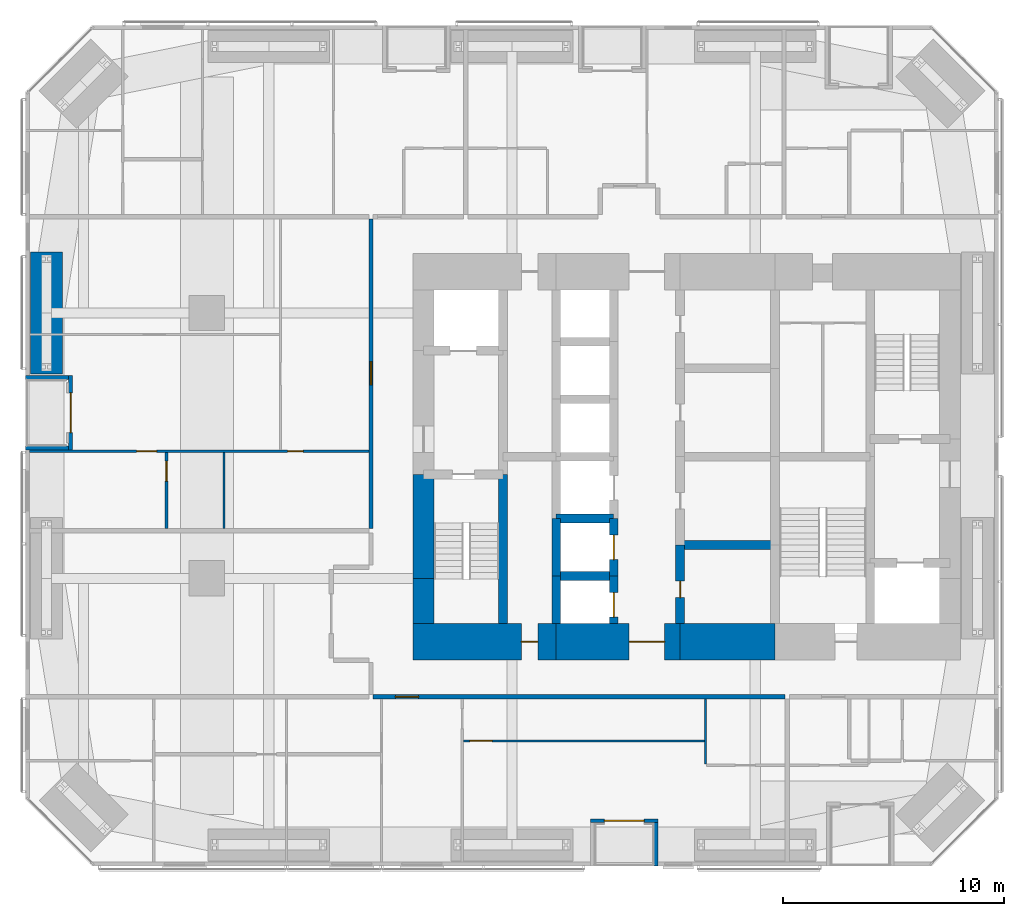
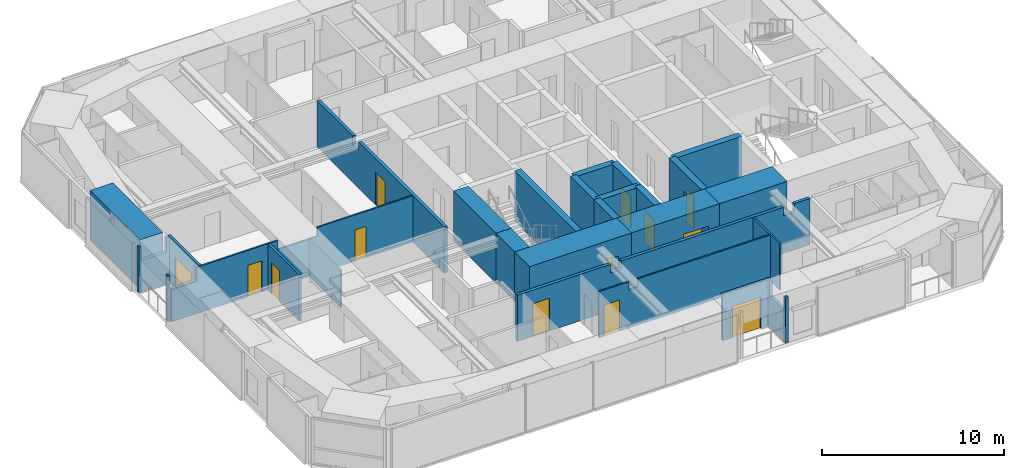
# One storey, part 18 of 24: 27 walls, 13 doors, 13 openings.
"""IFC4 building model written with IfcOpenShell, lengths in metres."""

from ifc_helpers import new_model, si_unit, direction, frame, frame_2d, origin, place, context, subcontext, project, spatial, polyline, rectangle, outline, extrude, material, layer, layer_set, constituent, constituent_set, type_object, element, fill, save


model = new_model("IFC4")

# Units and contexts
model_context = context("Model", 3, precision=1e-05, world=origin(), true_north=direction((0.0, 1.0)))
body_context = subcontext(model_context, "Body", "Model", "MODEL_VIEW")
ifc_project = project(units=[si_unit("LENGTHUNIT", "METRE"), si_unit("AREAUNIT", "SQUARE_METRE"), si_unit("VOLUMEUNIT", "CUBIC_METRE"), si_unit("PLANEANGLEUNIT", "RADIAN"), si_unit("MASSUNIT", "GRAM", prefix="KILO")], contexts=[model_context])

# Site, building, storey
site_placement = place(None, origin())
site = spatial("IfcSite", under=ifc_project, at=site_placement, CompositionType="ELEMENT")
building_placement = place(site_placement, origin())
building = spatial("IfcBuilding", under=site, at=building_placement, Name="Jalousie Tower", CompositionType="ELEMENT")
storey_placement = place(building_placement, frame((0.0, 0.0, 51.14990234375)))
storey = spatial("IfcBuildingStorey", under=building, at=storey_placement, Name="L13", CompositionType="ELEMENT", Elevation=51.14990234375)

# Wall, opening, door
ifc_material_1 = material(Name="Concrete block ASTM C90", Category="concrete")
ifc_constituent_1 = constituent(ifc_material_1, Name="Body")
ifc_material_2 = material(Name="Render")
ifc_constituent_2 = constituent(ifc_material_2, Name="Finish")
ifc_constituent_set_1 = constituent_set(constituents=[ifc_constituent_1, ifc_constituent_2])
wall_type_1 = type_object("IfcWallType", Name="BATHROOM WALL 150", PredefinedType="PLUMBINGWALL", material=ifc_constituent_set_1)
wall_1_placement = place(storey_placement, frame((8.375, 15.25, 0.0), z_axis=(0.0, 0.0, 1.0), x_axis=(0.0, 1.0, 0.0)))
wall_1 = element("IfcWall", 1, at=wall_1_placement, inside=storey, type_object=wall_type_1, Name="Bathroom Wall 150 L13", PredefinedType="PLUMBINGWALL", context=body_context, shape_type="SweptSolid", body=[
    extrude(rectangle(XDim=3.449951171875, YDim=0.14990234375, at=frame_2d((1.72509765625, 0.0))), origin(), (0.0, 0.0, 1.0), 3.110107421875),
])
opening_1_placement = place(wall_1_placement, frame((2.14990234375, 0.0, 0.0)))
opening_1 = element("IfcOpeningElement", 2, at=opening_1_placement, cuts=wall_1, Name="Opening D3", PredefinedType="OPENING", context=body_context, shape_type="SweptSolid", body=[
    extrude(rectangle(XDim=0.89990234375, YDim=2.10009765625, at=frame_2d((0.449951171875, 1.050048828125))), frame((0.0, 0.0849609375, 0.0), z_axis=(0.0, -1.0, 0.0), x_axis=(1.0, 0.0, 0.0)), (0.0, 0.0, 1.0), 0.169921875),
])
ifc_material_3 = material(Name="Timber door", Category="wood")
door_type_1 = type_object("IfcDoorType", Name="BATHROOM DOOR 900", OperationType="SINGLE_SWING_LEFT", PredefinedType="DOOR", material=ifc_material_3)
door_1_placement = place(opening_1_placement, frame((0.89990234375, 0.0, 0.0), z_axis=(0.0, 0.0, 1.0), x_axis=(-1.0, 0.0, 0.0)))
door_1 = element("IfcDoor", 3, at=door_1_placement, inside=storey, type_object=door_type_1, Name="Apartment 1306 bedroom 1 bathroom door", OperationType="SINGLE_SWING_LEFT", OverallHeight=2.10009765625, OverallWidth=0.89990234375, PredefinedType="DOOR", context=body_context, shape_type="SweptSolid", body=[
    extrude(rectangle(XDim=0.89990234375, YDim=2.10009765625, at=frame_2d((0.449951171875, 1.050048828125))), frame((0.0, 0.02490234375, 0.0), z_axis=(0.0, -1.0, 0.0), x_axis=(1.0, 0.0, 0.0)), (0.0, 0.0, 1.0), 0.050048828125),
])
fill(opening_1, door_1)

ifc_material_4 = material(Name="Concrete f'c 120 MPa", Category="concrete")
ifc_layer_1 = layer(ifc_material_4, 1.64990234375)
ifc_layer_set_1 = layer_set([ifc_layer_1], Name="Concrete f'c 120 MPa")
wall_type_2 = type_object("IfcWallType", Name="CORE WALL 1650", PredefinedType="SHEAR", material=ifc_layer_set_1)
wall_2_placement = place(storey_placement, frame((19.52490234375, 10.125, 0.0), z_axis=(0.0, 0.0, 1.0), x_axis=(1.0, 0.0, 0.0)))
wall_2 = element("IfcWall", 4, at=wall_2_placement, inside=storey, type_object=wall_type_2, Name="Core wall SA L13", PredefinedType="SHEAR", context=body_context, shape_type="SweptSolid", body=[
    extrude(rectangle(XDim=6.47509765625, YDim=1.64990234375, at=frame_2d((3.237548828125, 0.0))), origin(), (0.0, 0.0, 1.0), 3.35009765625),
])
opening_2_placement = place(wall_2_placement, frame((4.89990234375, 0.0, 0.0)))
opening_2 = element("IfcOpeningElement", 5, at=opening_2_placement, cuts=wall_2, Name="Opening D16", PredefinedType="OPENING", context=body_context, shape_type="SweptSolid", body=[
    extrude(rectangle(XDim=0.75, YDim=2.10009765625, at=frame_2d((0.375, 1.050048828125))), frame((0.0, 0.8349609375, 0.0), z_axis=(0.0, -1.0, 0.0), x_axis=(1.0, 0.0, 0.0)), (0.0, 0.0, 1.0), 1.669921875),
])
ifc_material_5 = material(Name="Steel fire door", Category="steel")
door_type_2 = type_object("IfcDoorType", Name="RISER DOOR 750", OperationType="SINGLE_SWING_LEFT", PredefinedType="DOOR", material=ifc_material_5)
door_2_placement = place(opening_2_placement, origin())
door_2 = element("IfcDoor", 6, at=door_2_placement, inside=storey, type_object=door_type_2, Name="South riser door", OperationType="SINGLE_SWING_LEFT", OverallHeight=2.10009765625, OverallWidth=0.75, PredefinedType="DOOR", context=body_context, shape_type="SweptSolid", body=[
    extrude(rectangle(XDim=0.75, YDim=2.10009765625, at=frame_2d((0.375, 1.050048828125))), frame((0.0, 0.02490234375, 0.0), z_axis=(0.0, -1.0, 0.0), x_axis=(1.0, 0.0, 0.0)), (0.0, 0.0, 1.0), 0.050048828125),
])
fill(opening_2, door_2)

wall_3_placement = place(storey_placement, frame((26.0, 10.125, 0.0), z_axis=(0.0, 0.0, 1.0), x_axis=(1.0, 0.0, 0.0)))
wall_3 = element("IfcWall", 7, at=wall_3_placement, inside=storey, type_object=wall_type_2, Name="Core wall SB L13", PredefinedType="SHEAR", context=body_context, shape_type="SweptSolid", body=[
    extrude(rectangle(XDim=5.60009765625, YDim=1.64990234375, at=frame_2d((2.800048828125, 0.0))), origin(), (0.0, 0.0, 1.0), 3.35009765625),
])
opening_3_placement = place(wall_3_placement, frame((3.300048828125, 0.0, 0.0)))
opening_3 = element("IfcOpeningElement", 8, at=opening_3_placement, cuts=wall_3, Name="Opening D15", PredefinedType="OPENING", context=body_context, shape_type="SweptSolid", body=[
    extrude(rectangle(XDim=1.60009765625, YDim=2.10009765625, at=frame_2d((0.800048828125, 1.050048828125))), frame((0.0, 0.8349609375, 0.0), z_axis=(0.0, -1.0, 0.0), x_axis=(1.0, 0.0, 0.0)), (0.0, 0.0, 1.0), 1.669921875),
])
ifc_material_6 = material(Name="Steel fire door", Category="steel")
door_type_3 = type_object("IfcDoorType", Name="LIFT LOBBY DOOR 1600", OperationType="DOUBLE_DOOR_SINGLE_SWING", PredefinedType="DOOR", material=ifc_material_6)
door_3_placement = place(opening_3_placement, origin())
door_3 = element("IfcDoor", 9, at=door_3_placement, inside=storey, type_object=door_type_3, Name="Lift lobby south door", OperationType="DOUBLE_DOOR_SINGLE_SWING", OverallHeight=2.10009765625, OverallWidth=1.60009765625, PredefinedType="DOOR", context=body_context, shape_type="SweptSolid", body=[
    extrude(rectangle(XDim=1.60009765625, YDim=2.10009765625, at=frame_2d((0.800048828125, 1.050048828125))), frame((0.0, 0.02490234375, 0.0), z_axis=(0.0, -1.0, 0.0), x_axis=(1.0, 0.0, 0.0)), (0.0, 0.0, 1.0), 0.050048828125),
])
fill(opening_3, door_3)

# Walls
wall_4_placement = place(storey_placement, frame((31.60009765625, 10.125, 0.0), z_axis=(0.0, 0.0, 1.0), x_axis=(1.0, 0.0, 0.0)))
element("IfcWall", 10, at=wall_4_placement, inside=storey, type_object=wall_type_2, Name="Core wall SC L13", PredefinedType="SHEAR", context=body_context, shape_type="SweptSolid", body=[
    extrude(rectangle(XDim=4.2998046875, YDim=1.64990234375, at=frame_2d((2.14990234375, 0.0))), origin(), (0.0, 0.0, 1.0), 3.35009765625),
])
ifc_material_7 = material(Name="Concrete f'c 120 MPa", Category="concrete")
ifc_layer_2 = layer(ifc_material_7, 0.39990234375)
ifc_layer_set_2 = layer_set([ifc_layer_2], Name="Concrete f'c 120 MPa")
wall_type_3 = type_object("IfcWallType", Name="CORE WALL 400", PredefinedType="SHEAR", material=ifc_layer_set_2)
wall_5_placement = place(storey_placement, frame((23.60009765625, 10.949951171875, 0.0), z_axis=(0.0, 0.0, 1.0), x_axis=(0.0, 1.0, 0.0)))
element("IfcWall", 11, at=wall_5_placement, inside=storey, type_object=wall_type_3, Name="Core wall X23.6A L13", PredefinedType="SHEAR", context=body_context, shape_type="SweptSolid", body=[
    extrude(rectangle(XDim=6.75, YDim=0.39990234375, at=frame_2d((3.375, 0.0))), origin(), (0.0, 0.0, 1.0), 3.35009765625),
])
wall_6_placement = place(storey_placement, frame((26.0, 10.949951171875, 0.0), z_axis=(0.0, 0.0, 1.0), x_axis=(0.0, 1.0, 0.0)))
element("IfcWall", 12, at=wall_6_placement, inside=storey, type_object=wall_type_3, Name="Core wall X26A L13", PredefinedType="SHEAR", context=body_context, shape_type="SweptSolid", body=[
    extrude(rectangle(XDim=2.150146484375, YDim=0.39990234375, at=frame_2d((1.0751953125, 0.0))), origin(), (0.0, 0.0, 1.0), 3.35009765625),
])
wall_7_placement = place(storey_placement, frame((26.0, 13.10009765625, 0.0), z_axis=(0.0, 0.0, 1.0), x_axis=(0.0, 1.0, 0.0)))
element("IfcWall", 13, at=wall_7_placement, inside=storey, type_object=wall_type_3, Name="Core wall X26B L13", PredefinedType="SHEAR", context=body_context, shape_type="SweptSolid", body=[
    extrude(rectangle(XDim=2.599853515625, YDim=0.39990234375, at=frame_2d((1.2998046875, 0.0))), origin(), (0.0, 0.0, 1.0), 3.35009765625),
])

# Wall, opening, door
wall_8_placement = place(storey_placement, frame((28.60009765625, 10.949951171875, 0.0), z_axis=(0.0, 0.0, 1.0), x_axis=(0.0, 1.0, 0.0)))
wall_8 = element("IfcWall", 14, at=wall_8_placement, inside=storey, type_object=wall_type_3, Name="Core wall X28.6A L13", PredefinedType="SHEAR", context=body_context, shape_type="SweptSolid", body=[
    extrude(rectangle(XDim=2.150146484375, YDim=0.39990234375, at=frame_2d((1.0751953125, 0.0))), origin(), (0.0, 0.0, 1.0), 3.35009765625),
])
opening_4_placement = place(wall_8_placement, frame((0.300048828125, 0.0, 0.0)))
opening_4 = element("IfcOpeningElement", 15, at=opening_4_placement, cuts=wall_8, Name="Opening LD1", PredefinedType="OPENING", context=body_context, shape_type="SweptSolid", body=[
    extrude(rectangle(XDim=1.10009765625, YDim=2.10009765625, at=frame_2d((0.550048828125, 1.050048828125))), frame((0.0, 0.2099609375, 0.0), z_axis=(0.0, -1.0, 0.0), x_axis=(1.0, 0.0, 0.0)), (0.0, 0.0, 1.0), 0.419921875),
])
ifc_material_8 = material(Name="Steel lift landing door", Category="steel")
door_type_4 = type_object("IfcDoorType", Name="LIFT LANDING DOOR 1100", OperationType="SLIDING_TO_LEFT", PredefinedType="DOOR", material=ifc_material_8)
door_4_placement = place(opening_4_placement, origin())
door_4 = element("IfcDoor", 16, at=door_4_placement, inside=storey, type_object=door_type_4, Name="Lift P1 landing door", OperationType="SLIDING_TO_LEFT", OverallHeight=2.10009765625, OverallWidth=1.10009765625, PredefinedType="DOOR", context=body_context, shape_type="SweptSolid", body=[
    extrude(rectangle(XDim=1.10009765625, YDim=2.10009765625, at=frame_2d((0.550048828125, 1.050048828125))), frame((0.0, 0.02490234375, 0.0), z_axis=(0.0, -1.0, 0.0), x_axis=(1.0, 0.0, 0.0)), (0.0, 0.0, 1.0), 0.050048828125),
])
fill(opening_4, door_4)

wall_9_placement = place(storey_placement, frame((28.60009765625, 13.10009765625, 0.0), z_axis=(0.0, 0.0, 1.0), x_axis=(0.0, 1.0, 0.0)))
wall_9 = element("IfcWall", 17, at=wall_9_placement, inside=storey, type_object=wall_type_3, Name="Core wall X28.6B L13", PredefinedType="SHEAR", context=body_context, shape_type="SweptSolid", body=[
    extrude(rectangle(XDim=2.599853515625, YDim=0.39990234375, at=frame_2d((1.2998046875, 0.0))), origin(), (0.0, 0.0, 1.0), 3.35009765625),
])
opening_5_placement = place(wall_9_placement, frame((0.75, 0.0, 0.0)))
opening_5 = element("IfcOpeningElement", 18, at=opening_5_placement, cuts=wall_9, Name="Opening LD1", PredefinedType="OPENING", context=body_context, shape_type="SweptSolid", body=[
    extrude(rectangle(XDim=1.10009765625, YDim=2.10009765625, at=frame_2d((0.550048828125, 1.050048828125))), frame((0.0, 0.2099609375, 0.0), z_axis=(0.0, -1.0, 0.0), x_axis=(1.0, 0.0, 0.0)), (0.0, 0.0, 1.0), 0.419921875),
])
door_5_placement = place(opening_5_placement, origin())
door_5 = element("IfcDoor", 19, at=door_5_placement, inside=storey, type_object=door_type_4, Name="Lift P2 landing door", OperationType="SLIDING_TO_LEFT", OverallHeight=2.10009765625, OverallWidth=1.10009765625, PredefinedType="DOOR", context=body_context, shape_type="SweptSolid", body=[
    extrude(rectangle(XDim=1.10009765625, YDim=2.10009765625, at=frame_2d((0.550048828125, 1.050048828125))), frame((0.0, 0.02490234375, 0.0), z_axis=(0.0, -1.0, 0.0), x_axis=(1.0, 0.0, 0.0)), (0.0, 0.0, 1.0), 0.050048828125),
])
fill(opening_5, door_5)

wall_10_placement = place(storey_placement, frame((31.60009765625, 10.949951171875, 0.0), z_axis=(0.0, 0.0, 1.0), x_axis=(0.0, 1.0, 0.0)))
wall_10 = element("IfcWall", 20, at=wall_10_placement, inside=storey, type_object=wall_type_3, Name="Core wall X31.6A L13", PredefinedType="SHEAR", context=body_context, shape_type="SweptSolid", body=[
    extrude(rectangle(XDim=3.550048828125, YDim=0.39990234375, at=frame_2d((1.77490234375, 0.0))), origin(), (0.0, 0.0, 1.0), 3.35009765625),
])
opening_6_placement = place(wall_10_placement, frame((1.175048828125, 0.0, 0.0)))
opening_6 = element("IfcOpeningElement", 21, at=opening_6_placement, cuts=wall_10, Name="Opening D16", PredefinedType="OPENING", context=body_context, shape_type="SweptSolid", body=[
    extrude(rectangle(XDim=0.75, YDim=2.10009765625, at=frame_2d((0.375, 1.050048828125))), frame((0.0, 0.2099609375, 0.0), z_axis=(0.0, -1.0, 0.0), x_axis=(1.0, 0.0, 0.0)), (0.0, 0.0, 1.0), 0.419921875),
])
door_6_placement = place(opening_6_placement, frame((0.75, 0.0, 0.0), z_axis=(0.0, 0.0, 1.0), x_axis=(-1.0, 0.0, 0.0)))
door_6 = element("IfcDoor", 22, at=door_6_placement, inside=storey, type_object=door_type_2, Name="Refuse Room door", OperationType="SINGLE_SWING_RIGHT", OverallHeight=2.10009765625, OverallWidth=0.75, PredefinedType="DOOR", context=body_context, shape_type="SweptSolid", body=[
    extrude(rectangle(XDim=0.75, YDim=2.10009765625, at=frame_2d((0.375, 1.050048828125))), frame((0.0, 0.02490234375, 0.0), z_axis=(0.0, -1.0, 0.0), x_axis=(1.0, 0.0, 0.0)), (0.0, 0.0, 1.0), 0.050048828125),
])
fill(opening_6, door_6)

# Walls
for number, where, z_axis, x_axis, name in (
    (23, (26.0, 13.10009765625, 0.0), (0.0, 0.0, 1.0), (1.0, 0.0, 0.0), "Core wall Y26-13.1 L13"),
    (24, (26.0, 15.699951171875, 0.0), (0.0, 0.0, 1.0), (1.0, 0.0, 0.0), "Core wall Y26-15.7 L13"),
):
    element("IfcWall", number, at=place(storey_placement, frame(where, z_axis=z_axis, x_axis=x_axis)), inside=storey, type_object=wall_type_3, Name=name, PredefinedType="SHEAR", context=body_context, shape_type="SweptSolid", body=[
        extrude(rectangle(XDim=2.60009765625, YDim=0.39990234375, at=frame_2d((1.300048828125, 0.0))), origin(), (0.0, 0.0, 1.0), 3.35009765625),
    ])
wall_11_placement = place(storey_placement, frame((31.60009765625, 14.5, 0.0), z_axis=(0.0, 0.0, 1.0), x_axis=(1.0, 0.0, 0.0)))
element("IfcWall", 25, at=wall_11_placement, inside=storey, type_object=wall_type_3, Name="Core wall Y31.6-14.5 L13", PredefinedType="SHEAR", context=body_context, shape_type="SweptSolid", body=[
    extrude(rectangle(XDim=4.2998046875, YDim=0.39990234375, at=frame_2d((2.14990234375, 0.0))), origin(), (0.0, 0.0, 1.0), 3.35009765625),
])
ifc_material_9 = material(Name="Concrete f'c 120 MPa", Category="concrete")
ifc_layer_3 = layer(ifc_material_9, 0.949951171875)
ifc_layer_set_3 = layer_set([ifc_layer_3], Name="Concrete f'c 120 MPa")
wall_type_4 = type_object("IfcWallType", Name="CORE WALL 950", PredefinedType="SHEAR", material=ifc_layer_set_3)
wall_12_placement = place(storey_placement, frame((20.0, 17.699951171875, 0.0), z_axis=(0.0, 0.0, 1.0), x_axis=(0.0, -1.0, 0.0)))
element("IfcWall", 26, at=wall_12_placement, inside=storey, type_object=wall_type_4, Name="Core wall WC L13", PredefinedType="SHEAR", context=body_context, shape_type="SweptSolid", body=[
    extrude(rectangle(XDim=4.699951171875, YDim=0.949951171875, at=frame_2d((2.35009765625, 0.0))), origin(), (0.0, 0.0, 1.0), 3.35009765625),
])
wall_13_placement = place(storey_placement, frame((20.0, 13.0, 0.0), z_axis=(0.0, 0.0, 1.0), x_axis=(0.0, -1.0, 0.0)))
element("IfcWall", 27, at=wall_13_placement, inside=storey, type_object=wall_type_4, Name="Core wall WD L13", PredefinedType="SHEAR", context=body_context, shape_type="SweptSolid", body=[
    extrude(rectangle(XDim=2.050048828125, YDim=0.949951171875, at=frame_2d((1.02490234375, 0.0))), origin(), (0.0, 0.0, 1.0), 3.35009765625),
])

# Wall, opening, door
ifc_material_10 = material(Name="Concrete block ASTM C90", Category="concrete")
ifc_constituent_3 = constituent(ifc_material_10, Name="Body")
ifc_material_11 = material(Name="Render")
ifc_constituent_4 = constituent(ifc_material_11, Name="Finish")
ifc_constituent_set_2 = constituent_set(constituents=[ifc_constituent_3, ifc_constituent_4])
wall_type_5 = type_object("IfcWallType", Name="CORRIDOR WALL 200", PredefinedType="PARTITIONING", material=ifc_constituent_set_2)
wall_14_placement = place(storey_placement, frame((17.72509765625, 7.64990234375, 0.0), z_axis=(0.0, 0.0, 1.0), x_axis=(1.0, 0.0, 0.0)))
wall_14 = element("IfcWall", 28, at=wall_14_placement, inside=storey, type_object=wall_type_5, Name="Corridor Wall 200 L13", PredefinedType="PARTITIONING", context=body_context, shape_type="SweptSolid", body=[
    extrude(outline(polyline([(0.0, 0.0), (18.625, 0.0), (18.625, 3.110107421875), (17.6123046875, 3.110107421875), (17.6123046875, 2.541015625), (16.9375, 2.541015625), (16.9375, 3.110107421875), (6.6123046875, 3.110107421875), (6.6123046875, 2.541015625), (5.9375, 2.541015625), (5.9375, 3.110107421875), (0.0, 3.110107421875), (0.0, 0.0)])), frame((0.0, 0.10009765625, 0.0), z_axis=(0.0, -1.0, 0.0), x_axis=(1.0, 0.0, 0.0)), (0.0, 0.0, 1.0), 0.199951171875),
])
opening_7_placement = place(wall_14_placement, frame((1.0, 0.0, 0.0)))
opening_7 = element("IfcOpeningElement", 29, at=opening_7_placement, cuts=wall_14, Name="Opening D1", PredefinedType="OPENING", context=body_context, shape_type="SweptSolid", body=[
    extrude(rectangle(XDim=1.050048828125, YDim=2.199951171875, at=frame_2d((0.52490234375, 1.10009765625))), frame((0.0, 0.10986328125, 0.0), z_axis=(0.0, -1.0, 0.0), x_axis=(1.0, 0.0, 0.0)), (0.0, 0.0, 1.0), 0.219970703125),
])
ifc_material_12 = material(Name="Timber fire door", Category="wood")
door_type_5 = type_object("IfcDoorType", Name="APARTMENT ENTRANCE DOOR 1050", OperationType="SINGLE_SWING_LEFT", PredefinedType="DOOR", material=ifc_material_12)
door_7_placement = place(opening_7_placement, frame((1.050048828125, 0.0, 0.0), z_axis=(0.0, 0.0, 1.0), x_axis=(-1.0, 0.0, 0.0)))
door_7 = element("IfcDoor", 30, at=door_7_placement, inside=storey, type_object=door_type_5, Name="Apartment 1301 entrance", OperationType="SINGLE_SWING_RIGHT", OverallHeight=2.199951171875, OverallWidth=1.050048828125, PredefinedType="DOOR", context=body_context, shape_type="SweptSolid", body=[
    extrude(rectangle(XDim=1.050048828125, YDim=2.199951171875, at=frame_2d((0.52490234375, 1.10009765625))), frame((0.0, 0.02490234375, 0.0), z_axis=(0.0, -1.0, 0.0), x_axis=(1.0, 0.0, 0.0)), (0.0, 0.0, 1.0), 0.050048828125),
])
fill(opening_7, door_7)

wall_15_placement = place(storey_placement, frame((17.625, 15.25, 0.0), z_axis=(0.0, 0.0, 1.0), x_axis=(0.0, 1.0, 0.0)))
wall_15 = element("IfcWall", 31, at=wall_15_placement, inside=storey, type_object=wall_type_5, Name="Corridor Wall 200 L13", PredefinedType="PARTITIONING", context=body_context, shape_type="SweptSolid", body=[
    extrude(outline(polyline([(0.0, 0.0), (14.0, 0.0), (14.0, 3.110107421875), (10.08740234375, 3.110107421875), (10.08740234375, 2.541015625), (9.41259765625, 2.541015625), (9.41259765625, 3.110107421875), (0.0, 3.110107421875), (0.0, 0.0)])), frame((0.0, 0.10009765625, 0.0), z_axis=(0.0, -1.0, 0.0), x_axis=(1.0, 0.0, 0.0)), (0.0, 0.0, 1.0), 0.199951171875),
])
opening_8_placement = place(wall_15_placement, frame((6.5, 0.0, 0.0)))
opening_8 = element("IfcOpeningElement", 32, at=opening_8_placement, cuts=wall_15, Name="Opening D1", PredefinedType="OPENING", context=body_context, shape_type="SweptSolid", body=[
    extrude(rectangle(XDim=1.050048828125, YDim=2.199951171875, at=frame_2d((0.52490234375, 1.10009765625))), frame((0.0, 0.10986328125, 0.0), z_axis=(0.0, -1.0, 0.0), x_axis=(1.0, 0.0, 0.0)), (0.0, 0.0, 1.0), 0.219970703125),
])
door_8_placement = place(opening_8_placement, origin())
door_8 = element("IfcDoor", 33, at=door_8_placement, inside=storey, type_object=door_type_5, Name="Apartment 1306 entrance", OperationType="SINGLE_SWING_LEFT", OverallHeight=2.199951171875, OverallWidth=1.050048828125, PredefinedType="DOOR", context=body_context, shape_type="SweptSolid", body=[
    extrude(rectangle(XDim=1.050048828125, YDim=2.199951171875, at=frame_2d((0.52490234375, 1.10009765625))), frame((0.0, 0.02490234375, 0.0), z_axis=(0.0, -1.0, 0.0), x_axis=(1.0, 0.0, 0.0)), (0.0, 0.0, 1.0), 0.050048828125),
])
fill(opening_8, door_8)

ifc_material_13 = material(Name="Concrete f'c 40 MPa", Category="concrete")
ifc_constituent_5 = constituent(ifc_material_13, Name="Body")
ifc_material_14 = material(Name="Render, pastel coral")
ifc_constituent_6 = constituent(ifc_material_14, Name="Finish")
ifc_constituent_set_3 = constituent_set(constituents=[ifc_constituent_5, ifc_constituent_6])
wall_type_6 = type_object("IfcWallType", Name="EXTERNAL WALL 175 CORAL RENDER", PredefinedType="SOLIDWALL", material=ifc_constituent_set_3)
wall_16_placement = place(storey_placement, frame((27.550048828125, 2.03759765625, 0.0), z_axis=(0.0, 0.0, 1.0), x_axis=(1.0, 0.0, 0.0)))
wall_16 = element("IfcWall", 34, at=wall_16_placement, inside=storey, type_object=wall_type_6, Name="External Wall 175 Coral Render L13", PredefinedType="SOLIDWALL", context=body_context, shape_type="SweptSolid", body=[
    extrude(rectangle(XDim=3.050048828125, YDim=0.175048828125, at=frame_2d((1.52490234375, 0.0))), origin(), (0.0, 0.0, 1.0), 3.110107421875),
])
opening_9_placement = place(wall_16_placement, frame((0.625, 0.0, 0.0)))
opening_9 = element("IfcOpeningElement", 35, at=opening_9_placement, cuts=wall_16, Name="Opening D-BAL21", PredefinedType="OPENING", context=body_context, shape_type="SweptSolid", body=[
    extrude(rectangle(XDim=1.800048828125, YDim=2.10009765625, at=frame_2d((0.89990234375, 1.050048828125))), frame((0.0, 0.097412109375, 0.0), z_axis=(0.0, -1.0, 0.0), x_axis=(1.0, 0.0, 0.0)), (0.0, 0.0, 1.0), 0.195068359375),
])
ifc_material_15 = material(Name="Aluminium frame, impact-rated glazing", Category="aluminium")
door_type_6 = type_object("IfcDoorType", Name="BALCONY DOOR 1800x2100", OperationType="SLIDING_TO_LEFT", PredefinedType="DOOR", material=ifc_material_15)
door_9_placement = place(opening_9_placement, origin())
door_9 = element("IfcDoor", 36, at=door_9_placement, inside=storey, type_object=door_type_6, Name="Apartment 1301 living and dining room loggia door", OperationType="SLIDING_TO_LEFT", OverallHeight=2.10009765625, OverallWidth=1.800048828125, PredefinedType="DOOR", context=body_context, shape_type="SweptSolid", body=[
    extrude(rectangle(XDim=1.800048828125, YDim=2.10009765625, at=frame_2d((0.89990234375, 1.050048828125))), frame((0.0, 0.02490234375, 0.0), z_axis=(0.0, -1.0, 0.0), x_axis=(1.0, 0.0, 0.0)), (0.0, 0.0, 1.0), 0.050048828125),
])
fill(opening_9, door_9)

# Wall
wall_17_placement = place(storey_placement, frame((30.512451171875, 0.0, 0.0), z_axis=(0.0, 0.0, 1.0), x_axis=(0.0, 1.0, 0.0)))
element("IfcWall", 37, at=wall_17_placement, inside=storey, type_object=wall_type_6, Name="External Wall 175 Coral Render L13", PredefinedType="SOLIDWALL", context=body_context, shape_type="SweptSolid", body=[
    extrude(outline(polyline([(0.0, 0.0), (1.949951171875, 0.0), (1.949951171875, 3.110107421875), (1.75, 3.110107421875), (1.75, 2.150146484375), (0.14990234375, 2.150146484375), (0.14990234375, 3.110107421875), (0.0, 3.110107421875), (0.0, 0.0)])), frame((0.0, 0.08740234375, 0.0), z_axis=(0.0, -1.0, 0.0), x_axis=(1.0, 0.0, 0.0)), (0.0, 0.0, 1.0), 0.175048828125),
])

# Wall, opening, door
wall_18_placement = place(storey_placement, frame((4.03759765625, 22.175048828125, 0.0), z_axis=(0.0, 0.0, 1.0), x_axis=(0.0, -1.0, 0.0)))
wall_18 = element("IfcWall", 38, at=wall_18_placement, inside=storey, type_object=wall_type_6, Name="External Wall 175 Coral Render L13", PredefinedType="SOLIDWALL", context=body_context, shape_type="SweptSolid", body=[
    extrude(rectangle(XDim=3.375, YDim=0.175048828125, at=frame_2d((1.6875, 0.0))), origin(), (0.0, 0.0, 1.0), 3.110107421875),
])
opening_10_placement = place(wall_18_placement, frame((0.78759765625, 0.0, 0.0)))
opening_10 = element("IfcOpeningElement", 39, at=opening_10_placement, cuts=wall_18, Name="Opening D-BAL21", PredefinedType="OPENING", context=body_context, shape_type="SweptSolid", body=[
    extrude(rectangle(XDim=1.800048828125, YDim=2.10009765625, at=frame_2d((0.89990234375, 1.050048828125))), frame((0.0, 0.097412109375, 0.0), z_axis=(0.0, -1.0, 0.0), x_axis=(1.0, 0.0, 0.0)), (0.0, 0.0, 1.0), 0.195068359375),
])
door_10_placement = place(opening_10_placement, origin())
door_10 = element("IfcDoor", 40, at=door_10_placement, inside=storey, type_object=door_type_6, Name="Apartment 1306 living room loggia door", OperationType="SLIDING_TO_LEFT", OverallHeight=2.10009765625, OverallWidth=1.800048828125, PredefinedType="DOOR", context=body_context, shape_type="SweptSolid", body=[
    extrude(rectangle(XDim=1.800048828125, YDim=2.10009765625, at=frame_2d((0.89990234375, 1.050048828125))), frame((0.0, 0.02490234375, 0.0), z_axis=(0.0, -1.0, 0.0), x_axis=(1.0, 0.0, 0.0)), (0.0, 0.0, 1.0), 0.050048828125),
])
fill(opening_10, door_10)

# Walls
for number, where, z_axis, x_axis, name in (
    (41, (2.0, 22.08740234375, 0.0), (0.0, 0.0, 1.0), (1.0, 0.0, 0.0), "External Wall 175 Coral Render L13"),
    (42, (2.0, 18.887451171875, 0.0), (0.0, 0.0, 1.0), (1.0, 0.0, 0.0), "External Wall 175 Coral Render L13"),
):
    element("IfcWall", number, at=place(storey_placement, frame(where, z_axis=z_axis, x_axis=x_axis)), inside=storey, type_object=wall_type_6, Name=name, PredefinedType="SOLIDWALL", context=body_context, shape_type="SweptSolid", body=[
        extrude(outline(polyline([(0.0, 0.0), (1.949951171875, 0.0), (1.949951171875, 3.110107421875), (1.75, 3.110107421875), (1.75, 2.150146484375), (0.14990234375, 2.150146484375), (0.14990234375, 3.110107421875), (0.0, 3.110107421875), (0.0, 0.0)])), frame((0.0, 0.08740234375, 0.0), z_axis=(0.0, -1.0, 0.0), x_axis=(1.0, 0.0, 0.0)), (0.0, 0.0, 1.0), 0.175048828125),
    ])
ifc_material_16 = material(Name="Gypsum board", Category="gypsum")
ifc_constituent_7 = constituent(ifc_material_16, Name="Body")
ifc_material_17 = material(Name="Light-gauge steel studs ASTM A653 SS Grade 33", Category="steel")
ifc_constituent_8 = constituent(ifc_material_17, Name="Framing")
ifc_constituent_set_4 = constituent_set(constituents=[ifc_constituent_7, ifc_constituent_8])
wall_type_7 = type_object("IfcWallType", Name="PARTITION 100", PredefinedType="PARTITIONING", material=ifc_constituent_set_4)
wall_19_placement = place(storey_placement, frame((32.75, 4.60009765625, 0.0), z_axis=(0.0, 0.0, 1.0), x_axis=(0.0, 1.0, 0.0)))
element("IfcWall", 43, at=wall_19_placement, inside=storey, type_object=wall_type_7, Name="Partition 100 L13", PredefinedType="PARTITIONING", context=body_context, shape_type="SweptSolid", body=[
    extrude(rectangle(XDim=2.949951171875, YDim=0.10009765625, at=frame_2d((1.47509765625, 0.0))), origin(), (0.0, 0.0, 1.0), 3.110107421875),
])

# Wall, opening, door
wall_20_placement = place(storey_placement, frame((21.800048828125, 5.64990234375, 0.0), z_axis=(0.0, 0.0, 1.0), x_axis=(1.0, 0.0, 0.0)))
wall_20 = element("IfcWall", 44, at=wall_20_placement, inside=storey, type_object=wall_type_7, Name="Partition 100 L13", PredefinedType="PARTITIONING", context=body_context, shape_type="SweptSolid", body=[
    extrude(outline(polyline([(0.0, 0.0), (10.89990234375, 0.0), (10.89990234375, 3.110107421875), (2.4873046875, 3.110107421875), (2.4873046875, 2.541015625), (1.91259765625, 2.541015625), (1.91259765625, 3.110107421875), (0.0, 3.110107421875), (0.0, 0.0)])), frame((0.0, 0.050048828125, 0.0), z_axis=(0.0, -1.0, 0.0), x_axis=(1.0, 0.0, 0.0)), (0.0, 0.0, 1.0), 0.10009765625),
])
opening_11_placement = place(wall_20_placement, frame((0.300048828125, 0.0, 0.0)))
opening_11 = element("IfcOpeningElement", 45, at=opening_11_placement, cuts=wall_20, Name="Opening D6", PredefinedType="OPENING", context=body_context, shape_type="SweptSolid", body=[
    extrude(rectangle(XDim=1.0, YDim=2.10009765625, at=frame_2d((0.5, 1.050048828125))), frame((0.0, 0.06005859375, 0.0), z_axis=(0.0, -1.0, 0.0), x_axis=(1.0, 0.0, 0.0)), (0.0, 0.0, 1.0), 0.1201171875),
])
ifc_material_18 = material(Name="Timber door", Category="wood")
door_type_7 = type_object("IfcDoorType", Name="INTERNAL DOOR 1000", OperationType="SINGLE_SWING_LEFT", PredefinedType="DOOR", material=ifc_material_18)
door_11_placement = place(opening_11_placement, frame((1.0, 0.0, 0.0), z_axis=(0.0, 0.0, 1.0), x_axis=(-1.0, 0.0, 0.0)))
door_11 = element("IfcDoor", 46, at=door_11_placement, inside=storey, type_object=door_type_7, Name="Apartment 1301 hall door", OperationType="SINGLE_SWING_RIGHT", OverallHeight=2.10009765625, OverallWidth=1.0, PredefinedType="DOOR", context=body_context, shape_type="SweptSolid", body=[
    extrude(rectangle(XDim=1.0, YDim=2.10009765625, at=frame_2d((0.5, 1.050048828125))), frame((0.0, 0.02490234375, 0.0), z_axis=(0.0, -1.0, 0.0), x_axis=(1.0, 0.0, 0.0)), (0.0, 0.0, 1.0), 0.050048828125),
])
fill(opening_11, door_11)

# Wall, openings, doors
wall_21_placement = place(storey_placement, frame((2.175048828125, 18.75, 0.0), z_axis=(0.0, 0.0, 1.0), x_axis=(1.0, 0.0, 0.0)))
wall_21 = element("IfcWall", 47, at=wall_21_placement, inside=storey, type_object=wall_type_7, Name="Partition 100 L13", PredefinedType="PARTITIONING", context=body_context, shape_type="SweptSolid", body=[
    extrude(outline(polyline([(0.0, 0.0), (15.349853515625, 0.0), (15.35009765625, 3.110107421875), (9.284912109375, 3.110107421875), (9.284912109375, 2.510009765625), (6.764892578125, 2.510009765625), (6.764892578125, 3.110107421875), (1.635009765625, 3.110107421875), (1.635009765625, 2.150146484375), (0.0, 2.150146484375), (0.0, 3.110107421875), (0.0, 0.0)])), frame((0.0, 0.050048828125, 0.0), z_axis=(0.0, -1.0, 0.0), x_axis=(1.0, 0.0, 0.0)), (0.0, 0.0, 1.0), 0.10009765625),
])
opening_12_placement = place(wall_21_placement, frame((4.85009765625, 0.0, 0.0)))
opening_12 = element("IfcOpeningElement", 48, at=opening_12_placement, cuts=wall_21, Name="Opening D2", PredefinedType="OPENING", context=body_context, shape_type="SweptSolid", body=[
    extrude(rectangle(XDim=0.89990234375, YDim=2.10009765625, at=frame_2d((0.449951171875, 1.050048828125))), frame((0.0, 0.06005859375, 0.0), z_axis=(0.0, -1.0, 0.0), x_axis=(1.0, 0.0, 0.0)), (0.0, 0.0, 1.0), 0.1201171875),
])
opening_13_placement = place(wall_21_placement, frame((11.675048828125, 0.0, 0.0)))
opening_13 = element("IfcOpeningElement", 49, at=opening_13_placement, cuts=wall_21, Name="Opening D4", PredefinedType="OPENING", context=body_context, shape_type="SweptSolid", body=[
    extrude(rectangle(XDim=0.699951171875, YDim=2.10009765625, at=frame_2d((0.35009765625, 1.050048828125))), frame((0.0, 0.06005859375, 0.0), z_axis=(0.0, -1.0, 0.0), x_axis=(1.0, 0.0, 0.0)), (0.0, 0.0, 1.0), 0.1201171875),
])
ifc_material_19 = material(Name="Timber door", Category="wood")
door_type_8 = type_object("IfcDoorType", Name="BEDROOM DOOR 900", OperationType="SINGLE_SWING_LEFT", PredefinedType="DOOR", material=ifc_material_19)
door_12_placement = place(opening_12_placement, frame((0.89990234375, 0.0, 0.0), z_axis=(0.0, 0.0, 1.0), x_axis=(-1.0, 0.0, 0.0)))
door_12 = element("IfcDoor", 50, at=door_12_placement, inside=storey, type_object=door_type_8, Name="Apartment 1306 bedroom 1 door", OperationType="SINGLE_SWING_LEFT", OverallHeight=2.10009765625, OverallWidth=0.89990234375, PredefinedType="DOOR", context=body_context, shape_type="SweptSolid", body=[
    extrude(rectangle(XDim=0.89990234375, YDim=2.10009765625, at=frame_2d((0.449951171875, 1.050048828125))), frame((0.0, 0.02490234375, 0.0), z_axis=(0.0, -1.0, 0.0), x_axis=(1.0, 0.0, 0.0)), (0.0, 0.0, 1.0), 0.050048828125),
])
fill(opening_12, door_12)
ifc_material_20 = material(Name="Timber door", Category="wood")
door_type_9 = type_object("IfcDoorType", Name="STORE DOOR 700", OperationType="SINGLE_SWING_LEFT", PredefinedType="DOOR", material=ifc_material_20)
door_13_placement = place(opening_13_placement, frame((0.699951171875, 0.0, 0.0), z_axis=(0.0, 0.0, 1.0), x_axis=(-1.0, 0.0, 0.0)))
door_13 = element("IfcDoor", 51, at=door_13_placement, inside=storey, type_object=door_type_9, Name="Apartment 1306 store door", OperationType="SINGLE_SWING_RIGHT", OverallHeight=2.10009765625, OverallWidth=0.699951171875, PredefinedType="DOOR", context=body_context, shape_type="SweptSolid", body=[
    extrude(rectangle(XDim=0.699951171875, YDim=2.10009765625, at=frame_2d((0.35009765625, 1.050048828125))), frame((0.0, 0.02490234375, 0.0), z_axis=(0.0, -1.0, 0.0), x_axis=(1.0, 0.0, 0.0)), (0.0, 0.0, 1.0), 0.050048828125),
])
fill(opening_13, door_13)

# Walls
wall_22_placement = place(storey_placement, frame((10.97509765625, 15.25, 0.0), z_axis=(0.0, 0.0, 1.0), x_axis=(0.0, 1.0, 0.0)))
element("IfcWall", 52, at=wall_22_placement, inside=storey, type_object=wall_type_7, Name="Partition 100 L13", PredefinedType="PARTITIONING", context=body_context, shape_type="SweptSolid", body=[
    extrude(outline(polyline([(0.0, 0.0), (3.449951171875, 0.0), (3.449951171875, 3.110107421875), (3.449951171875, 2.510009765625), (0.0, 2.510009765625), (0.0, 3.110107421875), (0.0, 0.0)])), frame((0.0, 0.050048828125, 0.0), z_axis=(0.0, -1.0, 0.0), x_axis=(1.0, 0.0, 0.0)), (0.0, 0.0, 1.0), 0.10009765625),
])
ifc_material_21 = material(Name="Concrete f'c 120 MPa", Category="concrete")
ifc_layer_4 = layer(ifc_material_21, 1.449951171875)
ifc_layer_set_4 = layer_set([ifc_layer_4], Name="Concrete f'c 120 MPa")
wall_type_8 = type_object("IfcWallType", Name="RC WALL PIER 1450", PredefinedType="SHEAR", material=ifc_layer_set_4)
wall_23_placement = place(storey_placement, frame((2.949951171875, 22.25, 0.0), z_axis=(0.0, 0.0, 1.0), x_axis=(0.0, 1.0, 0.0)))
element("IfcWall", 53, at=wall_23_placement, inside=storey, type_object=wall_type_8, Name="Wall pier 13 L13", PredefinedType="SHEAR", context=body_context, shape_type="SweptSolid", body=[
    extrude(rectangle(XDim=5.5, YDim=1.449951171875, at=frame_2d((2.75, 0.0))), origin(), (0.0, 0.0, 1.0), 3.35009765625),
])

save(model, "model.ifc")
